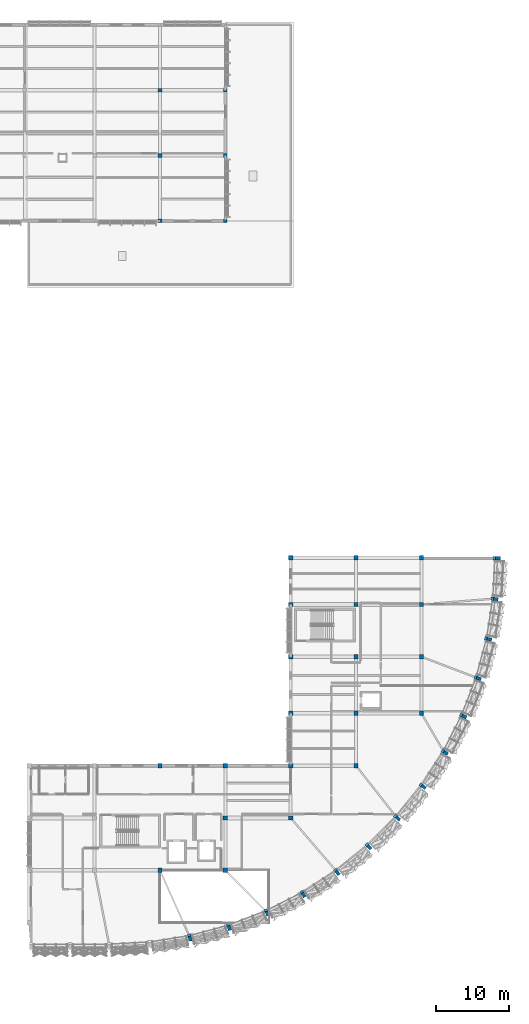
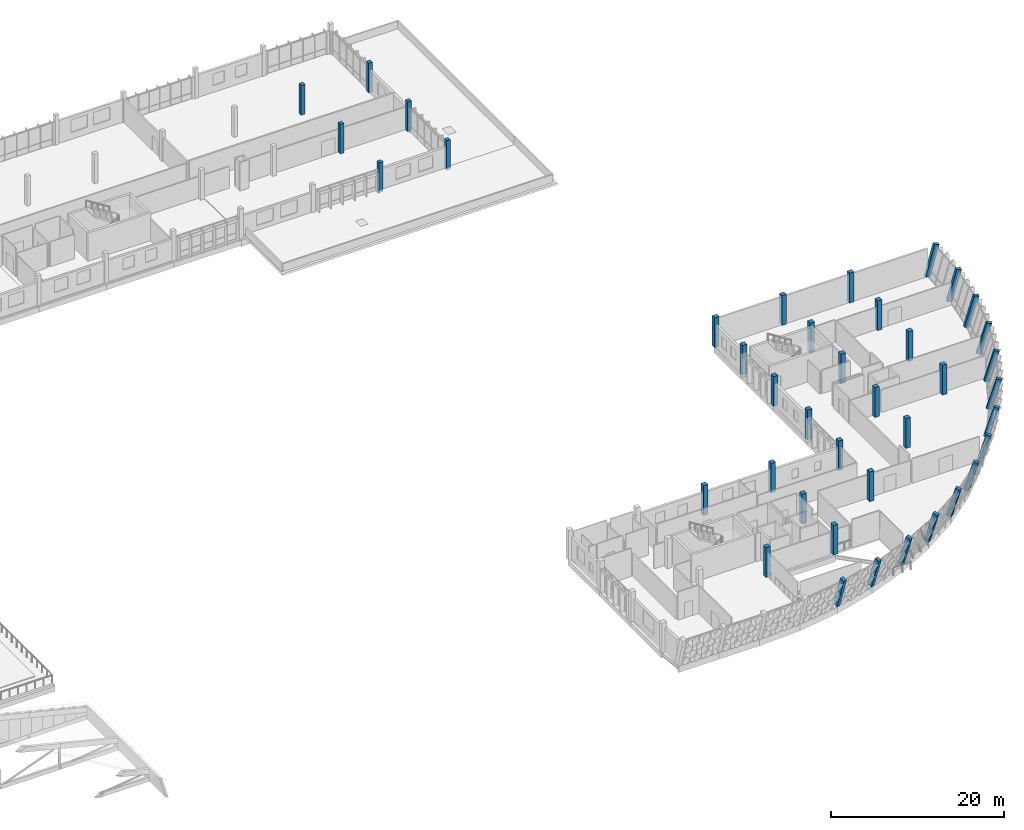
# One storey, part 3 of 107: 40 columns.
"""IFC4 building model written with IfcOpenShell, lengths in metres."""

from ifc_helpers import new_model, si_unit, direction, frame, origin, origin_2d, place, context, subcontext, project, spatial, rectangle, extrude, material, material_profile, profile_set, type_object, element, save


model = new_model("IFC4")

# Units and contexts
model_context = context("Model", 3, precision=1e-05, world=origin(), true_north=direction((0.0, 1.0)))
body_context = subcontext(model_context, "Body", "Model", "MODEL_VIEW")
ifc_project = project(units=[si_unit("LENGTHUNIT", "METRE"), si_unit("AREAUNIT", "SQUARE_METRE"), si_unit("VOLUMEUNIT", "CUBIC_METRE"), si_unit("PLANEANGLEUNIT", "RADIAN"), si_unit("MASSUNIT", "GRAM", prefix="KILO")], contexts=[model_context])

# Site, building, storey
site_placement = place(None, origin())
site = spatial("IfcSite", under=ifc_project, at=site_placement, CompositionType="ELEMENT")
building_placement = place(site_placement, origin())
building = spatial("IfcBuilding", under=site, at=building_placement, Name="Chiffa Square Polytechnic", CompositionType="ELEMENT")
storey_placement = place(building_placement, frame((0.0, 0.0, 13.800048828125)))
storey = spatial("IfcBuildingStorey", under=building, at=storey_placement, Name="L03", CompositionType="ELEMENT", Elevation=13.800048828125)

# Columns
ifc_material_1 = material(Name="Glulam GL32c", Category="wood")
ifc_material_profile_1 = material_profile(ifc_material_1, rectangle(XDim=0.449951171875, YDim=0.64990234375, at=origin_2d()), Name="GL32c 450x650")
ifc_profile_set_1 = profile_set([ifc_material_profile_1], Name="Glulam GL32c")
column_type_1 = type_object("IfcColumnType", Name="COL-RAKED-GL650", PredefinedType="USERDEFINED", material=ifc_profile_set_1)
for number, where, z_axis, x_axis, name in (
    (1, (134.259033203125, 5.323974609375, 0.0), (0.056602328009, -0.266456018415, 0.962183645004), (0.978173459836, 0.207789996086, 0.0), "Outward-leaning glulam column CRK-V1-L03-05"),
    (2, (139.635986328125, 6.764892578125, 0.0), (0.084065235673, -0.259075297164, 0.962191782625), (0.951178834907, 0.30864028257, 0.0), "Outward-leaning glulam column CRK-V1-L03-06"),
):
    element("IfcColumn", number, at=place(storey_placement, frame(where, z_axis=z_axis, x_axis=x_axis)), inside=storey, type_object=column_type_1, Name=name, ObjectType="RAKED COLUMN", PredefinedType="USERDEFINED", context=body_context, shape_type="SweptSolid", body=[
        extrude(rectangle(XDim=0.449951171875, YDim=0.64990234375, at=origin_2d()), origin(), (0.0, 0.0, 1.0), 4.364990234375),
    ])
for number, where, z_axis, x_axis, name in (
    (3, (144.833984375, 8.760009765625, 0.0), (0.110635742938, -0.248790588771, 0.962217738001), (0.913726817735, 0.406329056987, 0.0), "Outward-leaning glulam column CRK-V1-L03-07"),
    (4, (149.7939453125, 11.287109375, 0.0), (0.136087762367, -0.235762399662, 0.962235008633), (0.866072678707, 0.499918108492, 0.0), "Outward-leaning glulam column CRK-V1-L03-08"),
):
    element("IfcColumn", number, at=place(storey_placement, frame(where, z_axis=z_axis, x_axis=x_axis)), inside=storey, type_object=column_type_1, Name=name, ObjectType="RAKED COLUMN", PredefinedType="USERDEFINED", context=body_context, shape_type="SweptSolid", body=[
        extrude(rectangle(XDim=0.449951171875, YDim=0.64990234375, at=origin_2d()), origin(), (0.0, 0.0, 1.0), 4.36474609375),
    ])
column_1_placement = place(storey_placement, frame((154.462890625, 14.320068359375, 0.0), z_axis=(0.160183283524, -0.220419804597, 0.962162369572), x_axis=(0.808949062961, 0.587878740502, 0.0)))
element("IfcColumn", 5, at=column_1_placement, inside=storey, type_object=column_type_1, Name="Outward-leaning glulam column CRK-V1-L03-09", ObjectType="RAKED COLUMN", PredefinedType="USERDEFINED", context=body_context, shape_type="SweptSolid", body=[
    extrude(rectangle(XDim=0.449951171875, YDim=0.64990234375, at=origin_2d()), origin(), (0.0, 0.0, 1.0), 4.365234375),
])
for number, where, z_axis, x_axis, name in (
    (6, (158.7900390625, 17.822998046875, 0.0), (0.182121983712, -0.202314255248, 0.96223724994), (0.743222621196, 0.669044195359, 0.0), "Outward-leaning glulam column CRK-V1-L03-10"),
    (7, (162.72705078125, 21.760009765625, 0.0), (0.202314255248, -0.182121983712, 0.96223724994), (0.669044195359, 0.743222621196, 0.0), "Outward-leaning glulam column CRK-V1-L03-11"),
):
    element("IfcColumn", number, at=place(storey_placement, frame(where, z_axis=z_axis, x_axis=x_axis)), inside=storey, type_object=column_type_1, Name=name, ObjectType="RAKED COLUMN", PredefinedType="USERDEFINED", context=body_context, shape_type="SweptSolid", body=[
        extrude(rectangle(XDim=0.449951171875, YDim=0.64990234375, at=origin_2d()), origin(), (0.0, 0.0, 1.0), 4.36474609375),
    ])
column_2_placement = place(storey_placement, frame((166.22998046875, 26.0869140625, 0.0), z_axis=(0.220368565048, -0.160130761861, 0.962182848862), x_axis=(0.587842020892, 0.80897574653, 0.0)))
element("IfcColumn", 8, at=column_2_placement, inside=storey, type_object=column_type_1, Name="Outward-leaning glulam column CRK-V1-L03-12", ObjectType="RAKED COLUMN", PredefinedType="USERDEFINED", context=body_context, shape_type="SweptSolid", body=[
    extrude(rectangle(XDim=0.449951171875, YDim=0.64990234375, at=origin_2d()), origin(), (0.0, 0.0, 1.0), 4.364990234375),
])
column_3_placement = place(storey_placement, frame((169.262939453125, 30.756103515625, 0.0), z_axis=(0.235762399662, -0.136087762367, 0.962235008633), x_axis=(0.499918108492, 0.866072678707, 0.0)))
element("IfcColumn", 9, at=column_3_placement, inside=storey, type_object=column_type_1, Name="Outward-leaning glulam column CRK-V1-L03-13", ObjectType="RAKED COLUMN", PredefinedType="USERDEFINED", context=body_context, shape_type="SweptSolid", body=[
    extrude(rectangle(XDim=0.449951171875, YDim=0.64990234375, at=origin_2d()), origin(), (0.0, 0.0, 1.0), 4.36474609375),
])
for number, where, z_axis, x_axis, name in (
    (10, (171.7900390625, 35.716064453125, 0.0), (0.248789048829, -0.110690990925, 0.962211782151), (0.406500543495, 0.913650539396, 0.0), "Outward-leaning glulam column CRK-V1-L03-14"),
    (11, (173.784912109375, 40.9140625, 0.0), (0.259127473526, -0.084064017421, 0.96217783878), (0.308580008842, 0.951198390528, 0.0), "Outward-leaning glulam column CRK-V1-L03-15"),
    (12, (175.22607421875, 46.291015625, 0.0), (0.266404057145, -0.056603171495, 0.962197983428), (0.207831737763, 0.978164591865, 0.0), "Outward-leaning glulam column CRK-V1-L03-16"),
    (13, (176.096923828125, 51.7900390625, 0.0), (0.270825770287, -0.028413773504, 0.962208948006), (0.104342634424, 0.994541409214, 0.0), "Outward-leaning glulam column CRK-V1-L03-17"),
    (14, (176.387939453125, 57.35009765625, 0.0), (0.272385973351, 0.0, 0.962188069725), (0.0, 1.0, 0.0), "Outward-leaning glulam column CRK-V1-L03-18"),
):
    element("IfcColumn", number, at=place(storey_placement, frame(where, z_axis=z_axis, x_axis=x_axis)), inside=storey, type_object=column_type_1, Name=name, ObjectType="RAKED COLUMN", PredefinedType="USERDEFINED", context=body_context, shape_type="SweptSolid", body=[
        extrude(rectangle(XDim=0.449951171875, YDim=0.64990234375, at=origin_2d()), origin(), (0.0, 0.0, 1.0), 4.364990234375),
    ])
ifc_material_2 = material(Name="Concrete C35/45", Category="concrete")
ifc_material_profile_2 = material_profile(ifc_material_2, rectangle(XDim=0.5, YDim=0.5, at=origin_2d()), Name="RC 500x500")
ifc_profile_set_2 = profile_set([ifc_material_profile_2], Name="Concrete C35/45")
column_type_2 = type_object("IfcColumnType", Name="COL-RC-500", PredefinedType="COLUMN", material=ifc_profile_set_2)
for number, where, z_axis, x_axis, name in (
    (15, (130.199951171875, 103.800048828125, 0.0), (0.0, 0.0, 1.0), (1.0, 0.0, 0.0), "Column C-V5-L03-1302-1038"),
    (16, (130.199951171875, 112.800048828125, 0.0), (0.0, 0.0, 1.0), (1.0, 0.0, 0.0), "Column C-V5-L03-1302-1128"),
    (17, (130.199951171875, 121.800048828125, 0.0), (0.0, 0.0, 1.0), (1.0, 0.0, 0.0), "Column C-V5-L03-1302-1218"),
    (18, (139.199951171875, 103.800048828125, 0.0), (0.0, 0.0, 1.0), (1.0, 0.0, 0.0), "Column C-V5-L03-1392-1038"),
    (19, (139.199951171875, 112.800048828125, 0.0), (0.0, 0.0, 1.0), (1.0, 0.0, 0.0), "Column C-V5-L03-1392-1128"),
    (20, (139.199951171875, 121.800048828125, 0.0), (0.0, 0.0, 1.0), (1.0, 0.0, 0.0), "Column C-V5-L03-1392-1218"),
):
    element("IfcColumn", number, at=place(storey_placement, frame(where, z_axis=z_axis, x_axis=x_axis)), inside=storey, type_object=column_type_2, Name=name, PredefinedType="COLUMN", context=body_context, shape_type="SweptSolid", body=[
        extrude(rectangle(XDim=0.5, YDim=0.5, at=origin_2d()), origin(), (0.0, 0.0, 1.0), 4.199951171875),
    ])
ifc_material_3 = material(Name="Concrete C40/50", Category="concrete")
ifc_material_profile_3 = material_profile(ifc_material_3, rectangle(XDim=0.60009765625, YDim=0.60009765625, at=origin_2d()), Name="RC 600x600")
ifc_profile_set_3 = profile_set([ifc_material_profile_3], Name="Concrete C40/50")
column_type_3 = type_object("IfcColumnType", Name="COL-RC-600", PredefinedType="COLUMN", material=ifc_profile_set_3)
for number, where, z_axis, x_axis, name in (
    (21, (130.199951171875, 14.39990234375, 0.0), (0.0, 0.0, 1.0), (1.0, 0.0, 0.0), "Column C-V1-L03-1302-0144"),
    (22, (130.199951171875, 28.800048828125, 0.0), (0.0, 0.0, 1.0), (1.0, 0.0, 0.0), "Column C-V1-L03-1302-0288"),
    (23, (139.199951171875, 14.39990234375, 0.0), (0.0, 0.0, 1.0), (1.0, 0.0, 0.0), "Column C-V1-L03-1392-0144"),
    (24, (139.199951171875, 21.60009765625, 0.0), (0.0, 0.0, 1.0), (1.0, 0.0, 0.0), "Column C-V1-L03-1392-0216"),
    (25, (139.199951171875, 28.800048828125, 0.0), (0.0, 0.0, 1.0), (1.0, 0.0, 0.0), "Column C-V1-L03-1392-0288"),
    (26, (148.199951171875, 21.60009765625, 0.0), (0.0, 0.0, 1.0), (1.0, 0.0, 0.0), "Column C-V1-L03-1482-0216"),
    (27, (148.199951171875, 28.800048828125, 0.0), (0.0, 0.0, 1.0), (1.0, 0.0, 0.0), "Column C-V1-L03-1482-0288"),
    (28, (148.199951171875, 36.0, 0.0), (0.0, 0.0, 1.0), (1.0, 0.0, 0.0), "Column C-V1-L03-1482-0360"),
    (29, (148.199951171875, 43.800048828125, 0.0), (0.0, 0.0, 1.0), (1.0, 0.0, 0.0), "Column C-V1-L03-1482-0438"),
    (30, (148.199951171875, 51.0, 0.0), (0.0, 0.0, 1.0), (1.0, 0.0, 0.0), "Column C-V1-L03-1482-0510"),
    (31, (148.199951171875, 57.419921875, 0.0), (0.0, 0.0, 1.0), (1.0, 0.0, 0.0), "Column C-V1-L03-1482-0574"),
    (32, (157.199951171875, 28.800048828125, 0.0), (0.0, 0.0, 1.0), (1.0, 0.0, 0.0), "Column C-V1-L03-1572-0288"),
    (33, (157.199951171875, 36.0, 0.0), (0.0, 0.0, 1.0), (1.0, 0.0, 0.0), "Column C-V1-L03-1572-0360"),
    (34, (157.199951171875, 43.800048828125, 0.0), (0.0, 0.0, 1.0), (1.0, 0.0, 0.0), "Column C-V1-L03-1572-0438"),
    (35, (157.199951171875, 51.0, 0.0), (0.0, 0.0, 1.0), (1.0, 0.0, 0.0), "Column C-V1-L03-1572-0510"),
    (36, (157.199951171875, 57.419921875, 0.0), (0.0, 0.0, 1.0), (1.0, 0.0, 0.0), "Column C-V1-L03-1572-0574"),
    (37, (166.199951171875, 36.0, 0.0), (0.0, 0.0, 1.0), (1.0, 0.0, 0.0), "Column C-V1-L03-1662-0360"),
    (38, (166.199951171875, 43.800048828125, 0.0), (0.0, 0.0, 1.0), (1.0, 0.0, 0.0), "Column C-V1-L03-1662-0438"),
    (39, (166.199951171875, 51.0, 0.0), (0.0, 0.0, 1.0), (1.0, 0.0, 0.0), "Column C-V1-L03-1662-0510"),
    (40, (166.199951171875, 57.419921875, 0.0), (0.0, 0.0, 1.0), (1.0, 0.0, 0.0), "Column C-V1-L03-1662-0574"),
):
    element("IfcColumn", number, at=place(storey_placement, frame(where, z_axis=z_axis, x_axis=x_axis)), inside=storey, type_object=column_type_3, Name=name, PredefinedType="COLUMN", context=body_context, shape_type="SweptSolid", body=[
        extrude(rectangle(XDim=0.60009765625, YDim=0.60009765625, at=origin_2d()), origin(), (0.0, 0.0, 1.0), 4.199951171875),
    ])

save(model, "model.ifc")
